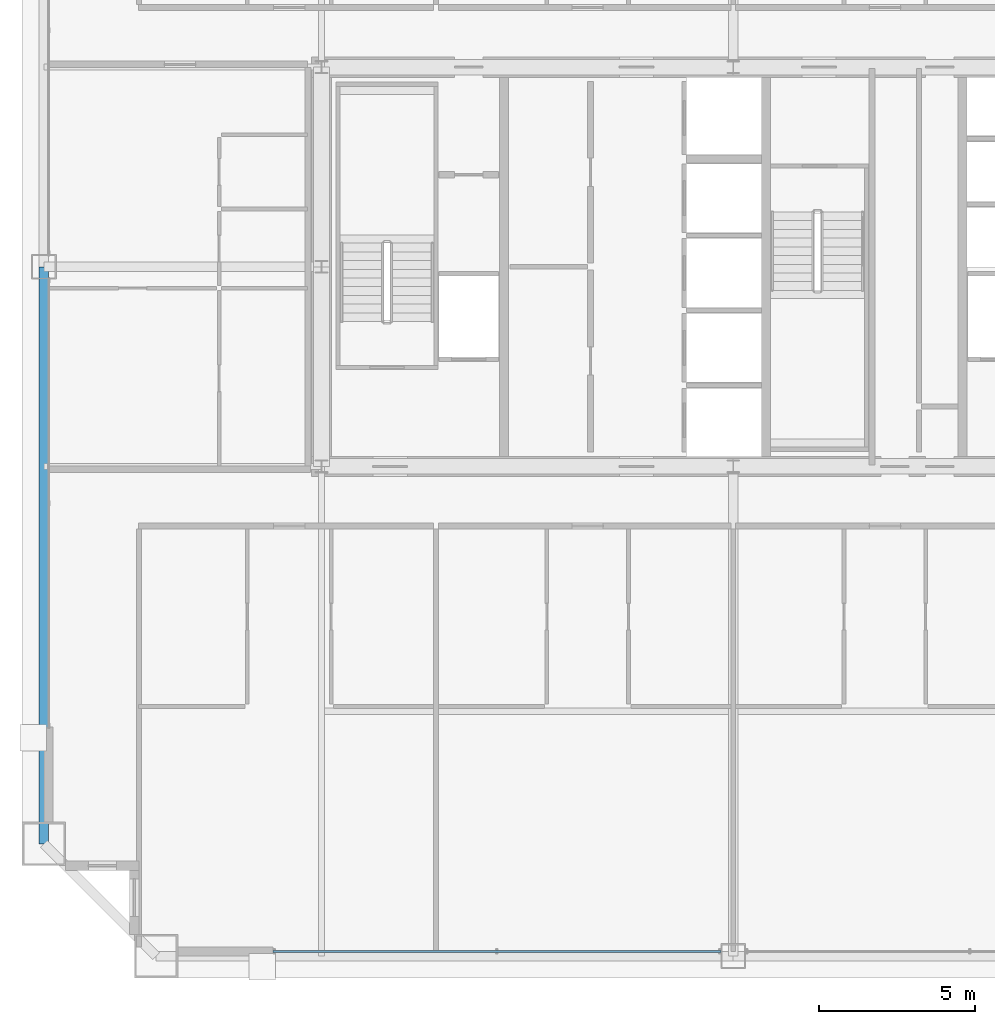
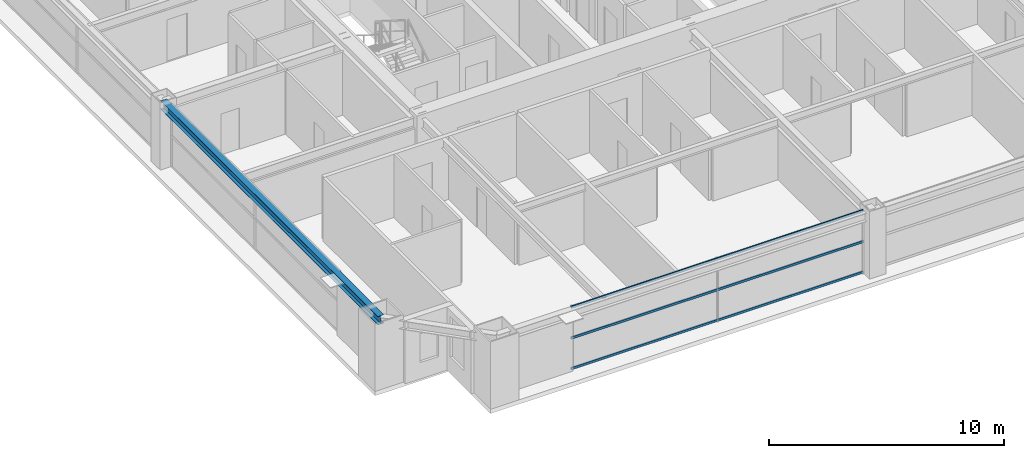
# One storey, part 7 of 38: 3 members, 1 beam, 1 element without a shape of its own.
"""IFC4 building model written with IfcOpenShell, lengths in metres."""

from ifc_helpers import new_model, si_unit, direction, frame, origin, origin_2d, place, context, subcontext, project, spatial, hollow_rectangle, i_section, extrude, source, transform, mapped, material, layer, layer_set, material_profile, profile_set, type_object, element, aggregate, save


model = new_model("IFC4")

# Units and contexts
model_context = context("Model", 3, precision=1e-05, world=origin(), true_north=direction((0.0, 1.0)))
body_context = subcontext(model_context, "Body", "Model", "MODEL_VIEW")
ifc_project = project(units=[si_unit("LENGTHUNIT", "METRE"), si_unit("AREAUNIT", "SQUARE_METRE"), si_unit("VOLUMEUNIT", "CUBIC_METRE"), si_unit("PLANEANGLEUNIT", "RADIAN"), si_unit("MASSUNIT", "GRAM", prefix="KILO"), si_unit("THERMODYNAMICTEMPERATUREUNIT", "KELVIN"), si_unit("POWERUNIT", "WATT")], contexts=[model_context])

# Site, building, storey
site_placement = place(None, origin())
site = spatial("IfcSite", under=ifc_project, at=site_placement, CompositionType="ELEMENT")
building_placement = place(site_placement, origin())
building = spatial("IfcBuilding", under=site, at=building_placement, Name="Yuzanri Waterfront Tower", CompositionType="ELEMENT")
storey_placement = place(building_placement, frame((0.0, 0.0, 188.0)))
storey = spatial("IfcBuildingStorey", under=building, at=storey_placement, Name="L49", CompositionType="ELEMENT", Elevation=188.0)

# Beam
ifc_material_1 = material(Name="Steel Q355B", Category="steel")
ifc_material_profile_1 = material_profile(ifc_material_1, i_section(OverallWidth=0.300048828125, OverallDepth=0.43994140625, WebThickness=0.010986328125, FlangeThickness=0.01806640625, at=origin_2d()), Name="HM 440x300x11x18")
ifc_profile_set_1 = profile_set([ifc_material_profile_1], Name="Steel Q355B")
beam_type = type_object("IfcBeamType", Name="Perimeter Spandrel Q355B HM 440x300", PredefinedType="SPANDREL", material=ifc_profile_set_1)
shared_shape_1 = source(origin(), body_context, "Body", "SweptSolid", [
    extrude(i_section(OverallWidth=0.300048828125, OverallDepth=0.43994140625, WebThickness=0.010986328125, FlangeThickness=0.01806640625, at=origin_2d()), origin(), (0.0, 0.0, 1.0), 18.5),
])
beam_placement = place(storey_placement, frame((14.89990234375, 25.800048828125, 3.06005859375), z_axis=(0.0, -1.0, 0.0), x_axis=(1.0, 0.0, 0.0)))
element("IfcBeam", 1, at=beam_placement, inside=storey, type_object=beam_type, Name="L49 Perimeter Spandrel W2-W1", PredefinedType="SPANDREL", context=body_context, shape_type="MappedRepresentation", body=[
    mapped(shared_shape_1, transform((0.0, 0.0, 0.0), scale=1.0)),
])

# Curtain wall, members
ifc_material_2 = material(Name="Anodized Architectural Bronze", Category="metal")
ifc_layer = layer(ifc_material_2, 0.159912109375)
ifc_layer_set = layer_set([ifc_layer], Name="Anodized Architectural Bronze")
curtain_wall_type = type_object("IfcCurtainWallType", Name="Anodized Bronze Mid-Rise Residential Acoustic Unitized Curtain Wall 7200", PredefinedType="NOTDEFINED", material=ifc_layer_set)
curtain_wall_placement = place(storey_placement, origin())
curtain_wall = element("IfcCurtainWall", 2, at=curtain_wall_placement, inside=storey, type_object=curtain_wall_type, Name="L49 Curtain Wall CW-L49-SL", PredefinedType="NOTDEFINED")
ifc_material_3 = material(Name="Anodized Architectural Bronze", Category="metal")
ifc_material_profile_2 = material_profile(ifc_material_3, hollow_rectangle(XDim=0.06494140625, YDim=0.1201171875, WallThickness=0.00341796875, at=origin_2d()), Name="CWT 65x120")
ifc_profile_set_2 = profile_set([ifc_material_profile_2], Name="Anodized Architectural Bronze")
member_type = type_object("IfcMemberType", Name="Anodized Bronze Secondary Curtain-Wall Transom 65x120", PredefinedType="USERDEFINED", material=ifc_profile_set_2)
shared_shape_2 = source(origin(), body_context, "Body", "SweptSolid", [
    extrude(hollow_rectangle(XDim=0.06494140625, YDim=0.1201171875, WallThickness=0.00341796875, at=origin_2d()), origin(), (0.0, 0.0, 1.0), 14.35009765625),
])
member_1_placement = place(storey_placement, frame((22.25, 3.85009765625, 0.050048828125), z_axis=(1.0, 0.0, 0.0), x_axis=(0.0, 1.0, 0.0)))
member_1 = element("IfcMember", 3, at=member_1_placement, type_object=member_type, Name="CW-L49-SL Transom 1", ObjectType="TRANSOM", PredefinedType="USERDEFINED", context=body_context, shape_type="MappedRepresentation", body=[
    mapped(shared_shape_2, transform((0.0, 0.0, 0.0), scale=1.0)),
])
member_2_placement = place(storey_placement, frame((22.25, 3.85009765625, 1.639892578125), z_axis=(1.0, 0.0, 0.0), x_axis=(0.0, 1.0, 0.0)))
member_2 = element("IfcMember", 4, at=member_2_placement, type_object=member_type, Name="CW-L49-SL Transom 2", ObjectType="TRANSOM", PredefinedType="USERDEFINED", context=body_context, shape_type="MappedRepresentation", body=[
    mapped(shared_shape_2, transform((0.0, 0.0, 0.0), scale=1.0)),
])
member_3_placement = place(storey_placement, frame((22.25, 3.85009765625, 3.22998046875), z_axis=(1.0, 0.0, 0.0), x_axis=(0.0, 1.0, 0.0)))
member_3 = element("IfcMember", 5, at=member_3_placement, type_object=member_type, Name="CW-L49-SL Transom 3", ObjectType="TRANSOM", PredefinedType="USERDEFINED", context=body_context, shape_type="MappedRepresentation", body=[
    mapped(shared_shape_2, transform((0.0, 0.0, 0.0), scale=1.0)),
])
aggregate(curtain_wall, [member_1, member_2, member_3])

save(model, "model.ifc")
